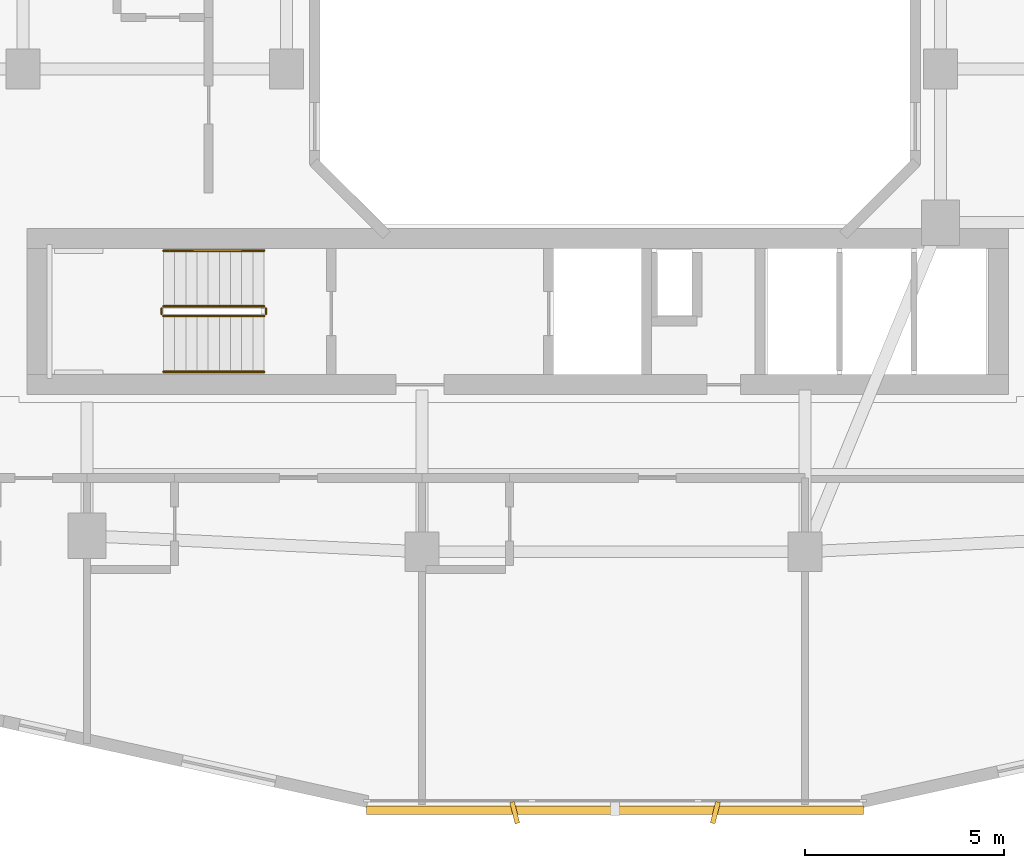
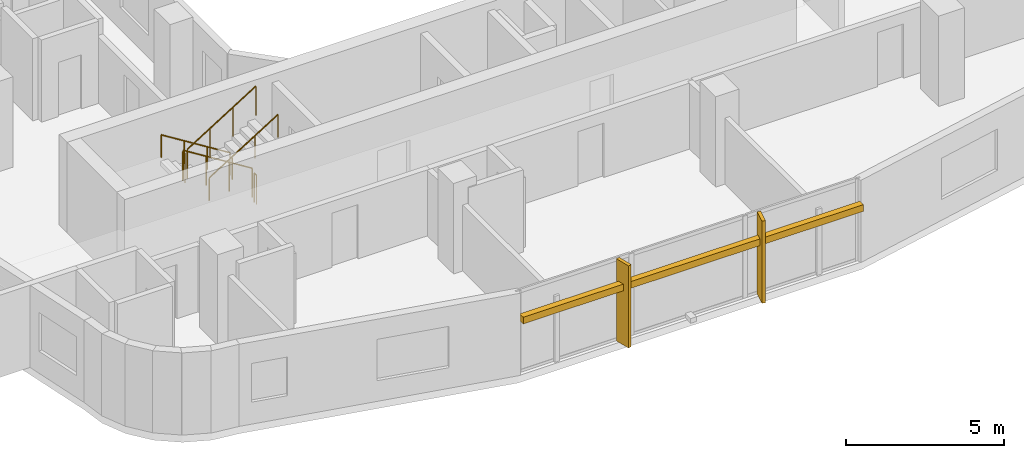
# One storey, part 21 of 25: 6 railings, 3 shading devices.
"""IFC4 building model written with IfcOpenShell, lengths in metres."""

import ifcopenshell
import ifcopenshell.guid

model = None  # the IFC model being written
_history = None  # IfcOwnerHistory: only IFC2X3 demands one
_inside = {}  # id of a spatial element -> (the spatial element, [elements in it])
_under = {}  # id of a project, library or spatial element -> (it, [spatial elements below it])
_declared = {}  # id of a project -> (the project, [libraries it declares])
_typed = {}  # id of a type object -> (the type object, [elements of that type])
_made_of = {}  # id of a material, layer set ... -> (it, [elements and type objects made of it])


def new_model(schema):
    """Start an empty IFC model of exactly this schema.

    Asked for "IFC4X3", IfcOpenShell would pick the latest addendum, in which some entities
    have other attributes; the version numbers below select the first issue.
    IFC2X3 requires an IfcOwnerHistory on every rooted entity: one is made here for all.
    """
    global model, _history
    if schema == "IFC4X3":
        model = ifcopenshell.file(schema_version=(4, 3, 0, 0))
    else:
        model = ifcopenshell.file(schema=schema)
    _inside.clear()
    _under.clear()
    _declared.clear()
    _typed.clear()
    _made_of.clear()
    _history = None
    if model.schema == "IFC2X3":
        org = make("IfcOrganization", Name="unknown")
        user = make(
            "IfcPersonAndOrganization",
            ThePerson=make("IfcPerson", FamilyName="unknown"),
            TheOrganization=org,
        )
        app = make(
            "IfcApplication",
            ApplicationDeveloper=org,
            Version="unknown",
            ApplicationFullName="unknown",
            ApplicationIdentifier="unknown",
        )
        _history = make(
            "IfcOwnerHistory",
            OwningUser=user,
            OwningApplication=app,
            ChangeAction="ADDED",
            CreationDate=0,
        )
    return model


def make(cls, **values):
    """One entity of the class cls with the attributes given. An attribute that is None is left unset."""
    return model.create_entity(
        cls, **{name: value for name, value in values.items() if value is not None}
    )


def rooted(cls, **values):
    """An entity with a GlobalId (a new one), such as an element, a storey or a relation."""
    return make(cls, GlobalId=ifcopenshell.guid.new(), OwnerHistory=_history, **values)


def si_unit(unit_type, name, prefix=None):
    """IfcSIUnit, for example si_unit("LENGTHUNIT", "METRE", prefix="MILLI")."""
    return make("IfcSIUnit", UnitType=unit_type, Prefix=prefix, Name=name)


def derived_unit(unit_type, elements):
    """IfcDerivedUnit: a product of units, each with its exponent."""
    return make(
        "IfcDerivedUnit",
        Elements=[
            make("IfcDerivedUnitElement", Unit=unit, Exponent=power)
            for unit, power in elements
        ],
        UnitType=unit_type,
    )


def assignment(units):
    """IfcUnitAssignment: the units of a project."""
    return None if units is None else make("IfcUnitAssignment", Units=units)


def point(xyz):
    """IfcCartesianPoint."""
    return None if xyz is None else make("IfcCartesianPoint", Coordinates=xyz)


def direction(xyz):
    """IfcDirection."""
    return None if xyz is None else make("IfcDirection", DirectionRatios=xyz)


def frame(location, z_axis=None, x_axis=None):
    """IfcAxis2Placement3D, a coordinate frame: its origin and axes. An axis left out is left unset."""
    return make(
        "IfcAxis2Placement3D",
        Location=point(location),
        Axis=direction(z_axis),
        RefDirection=direction(x_axis),
    )


def frame_2d(location, x_axis=None):
    """IfcAxis2Placement2D, a coordinate frame in the plane: its origin and x axis."""
    return make(
        "IfcAxis2Placement2D", Location=point(location), RefDirection=direction(x_axis)
    )


def origin():
    """The frame at (0, 0, 0) with its axes left unset."""
    return frame((0.0, 0.0, 0.0))


def origin_2d():
    """The frame at (0, 0) in the plane with its x axis left unset."""
    return frame_2d((0.0, 0.0))


def place(relative_to, where):
    """IfcLocalPlacement: puts the frame where relative to a parent placement (None: the world)."""
    return make(
        "IfcLocalPlacement", PlacementRelTo=relative_to, RelativePlacement=where
    )


def context(
    kind, dimensions, precision=None, world=None, true_north=None, identifier=None
):
    """IfcGeometricRepresentationContext, for example the 3D "Model" context."""
    return make(
        "IfcGeometricRepresentationContext",
        ContextIdentifier=identifier,
        ContextType=kind,
        CoordinateSpaceDimension=dimensions,
        Precision=precision,
        WorldCoordinateSystem=world,
        TrueNorth=true_north,
    )


def subcontext(parent, identifier, kind, view, scale=None):
    """IfcGeometricRepresentationSubContext, for example "Body" below "Model"."""
    return make(
        "IfcGeometricRepresentationSubContext",
        ContextIdentifier=identifier,
        ContextType=kind,
        ParentContext=parent,
        TargetScale=scale,
        TargetView=view,
    )


def project(units=None, contexts=None):
    """IfcProject with its units and contexts."""
    return rooted(
        "IfcProject",
        Name="project",
        RepresentationContexts=contexts,
        UnitsInContext=assignment(units),
    )


def spatial(cls, under=None, at=None, **own):
    """A site, building, storey or space (cls), placed at a placement, below another one or the project."""
    s = rooted(cls, ObjectPlacement=at, **own)
    if under is not None:
        _under.setdefault(under.id(), (under, []))[1].append(s)
    return s


def profile(cls, at=None, kind="AREA", **sizes):
    """A parametric profile (cls). Its sizes go by their IFC names, for example OverallWidth=200.0."""
    return make(cls, ProfileType=kind, Position=at, **sizes)


def rectangle(**sizes):
    """IfcRectangleProfileDef."""
    return profile("IfcRectangleProfileDef", **sizes)


def circle(**sizes):
    """IfcCircleProfileDef."""
    return profile("IfcCircleProfileDef", **sizes)


def extrude(swept, where, along, depth):
    """IfcExtrudedAreaSolid: the profile swept, set in the frame where, extruded along a direction by depth."""
    return make(
        "IfcExtrudedAreaSolid",
        SweptArea=swept,
        Position=where,
        ExtrudedDirection=direction(along),
        Depth=depth,
    )


def shape(context_of_items, identifier, shape_type, items):
    """IfcShapeRepresentation: the items that make up one representation, for example the "Body"."""
    return make(
        "IfcShapeRepresentation",
        ContextOfItems=context_of_items,
        RepresentationIdentifier=identifier,
        RepresentationType=shape_type,
        Items=items,
    )


def material(Name=None, Category=None):
    """IfcMaterial."""
    return make("IfcMaterial", Name=Name, Category=Category)


def made_of(thing, what):
    """Note that an element or type object is made of a material, layer set ...; save() writes the relation."""
    if what is not None:
        _made_of.setdefault(what.id(), (what, []))[1].append(thing)
    return thing


def type_object(cls, material=None, **own):
    """A type object (cls), such as IfcWallType, which elements share."""
    return made_of(rooted(cls, **own), material)


def element(
    cls,
    number,
    at=None,
    inside=None,
    cuts=None,
    type_object=None,
    material=None,
    context=None,
    identifier="Body",
    shape_type=None,
    held_by="IfcProductDefinitionShape",
    body=None,
    shapes=None,
    **own,
):
    """One element of the class cls, such as IfcWall. Its Tag is "e" and its number.

    at: its placement. inside: the storey or other place that contains it. cuts: it is an
    opening in that element (IfcRelVoidsElement). A single representation is given by context,
    identifier, shape_type and body (its items); several are given by shapes. held_by: the class
    of the entity that holds the representations. save() writes the other relations.
    """
    e = rooted(cls, Tag="e%d" % number, ObjectPlacement=at, **own)
    if body is not None:
        shapes = [shape(context, identifier, shape_type, body)]
    if shapes is not None:
        e.Representation = make(held_by, Representations=shapes)
    if inside is not None:
        _inside.setdefault(inside.id(), (inside, []))[1].append(e)
    if cuts is not None:
        rooted(
            "IfcRelVoidsElement", RelatingBuildingElement=cuts, RelatedOpeningElement=e
        )
    if type_object is not None:
        _typed.setdefault(type_object.id(), (type_object, []))[1].append(e)
    return made_of(e, material)


def aggregate(whole, parts):
    """IfcRelAggregates: a whole, such as a stair, and the parts it consists of."""
    return rooted("IfcRelAggregates", RelatingObject=whole, RelatedObjects=parts)


def save(model, path):
    """Write the relations noted so far, then the file.

    IfcRelAggregates (storeys below a building ...), IfcRelContainedInSpatialStructure (elements
    in a storey), IfcRelDefinesByType, IfcRelAssociatesMaterial and IfcRelDeclares: one each for
    every whole, place, type object, material and project.
    """
    for whole, parts in _under.values():
        aggregate(whole, parts)
    for where, things in _inside.values():
        rooted(
            "IfcRelContainedInSpatialStructure",
            RelatedElements=things,
            RelatingStructure=where,
        )
    for kind, things in _typed.values():
        rooted("IfcRelDefinesByType", RelatedObjects=things, RelatingType=kind)
    for what, things in _made_of.values():
        rooted("IfcRelAssociatesMaterial", RelatedObjects=things, RelatingMaterial=what)
    for by, libraries in _declared.values():
        rooted("IfcRelDeclares", RelatingContext=by, RelatedDefinitions=libraries)
    model.write(path)


model = new_model("IFC4")

# Units and contexts
model_context = context("Model", 3, precision=1e-05, world=origin(), true_north=direction((0.0, 1.0)))
body_context = subcontext(model_context, "Body", "Model", "MODEL_VIEW")
ifc_project = project(units=[si_unit("LENGTHUNIT", "METRE"), si_unit("AREAUNIT", "SQUARE_METRE"), si_unit("VOLUMEUNIT", "CUBIC_METRE"), si_unit("PLANEANGLEUNIT", "RADIAN"), si_unit("MASSUNIT", "GRAM", prefix="KILO"), derived_unit("THERMALTRANSMITTANCEUNIT", [(si_unit("POWERUNIT", "WATT"), 1), (si_unit("LENGTHUNIT", "METRE"), -2), (si_unit("THERMODYNAMICTEMPERATUREUNIT", "KELVIN"), -1)])], contexts=[model_context])

# Site, building, storey
site_placement = place(None, origin())
site = spatial("IfcSite", under=ifc_project, at=site_placement, CompositionType="ELEMENT")
building_placement = place(site_placement, origin())
building = spatial("IfcBuilding", under=site, at=building_placement, Name="Kivonza Crest Hotel", CompositionType="ELEMENT")
storey_placement = place(building_placement, frame((0.0, 0.0, 87.0)))
storey = spatial("IfcBuildingStorey", under=building, at=storey_placement, Name="L23", CompositionType="ELEMENT", Elevation=87.0)

# Railings
ifc_material_1 = material(Name="Brushed stainless steel handrail", Category="steel")
railing_type_1 = type_object("IfcRailingType", Name="RL-HAND-900", PredefinedType="HANDRAIL", material=ifc_material_1)
railing_1_placement = place(storey_placement, frame((12.239990234375, 16.949951171875, 0.175048828125)))
element("IfcRailing", 1, at=railing_1_placement, inside=storey, type_object=railing_type_1, Name="L23 ST-T1-S stair handrail 1", PredefinedType="HANDRAIL", context=body_context, shape_type="SweptSolid", body=[
    extrude(circle(Radius=0.02392578125, at=origin_2d()), frame((0.0, 0.0, 0.8759765625), z_axis=(-0.848007534815, 0.0, 0.529984170421), x_axis=(0.0, -1.0, 0.0)), (0.0, 0.0, 1.0), 2.9716796875),
    extrude(circle(Radius=0.02099609375, at=origin_2d()), origin(), (0.0, 0.0, 1.0), 0.851806640625),
    extrude(circle(Radius=0.02099609375, at=origin_2d()), frame((-0.840087890625, 0.0, 0.52490234375)), (0.0, 0.0, 1.0), 0.851806640625),
    extrude(circle(Radius=0.02099609375, at=origin_2d()), frame((-1.679931640625, 0.0, 1.050048828125)), (0.0, 0.0, 1.0), 0.851806640625),
    extrude(circle(Radius=0.02099609375, at=origin_2d()), frame((-2.52001953125, 0.0, 1.574951171875)), (0.0, 0.0, 1.0), 0.851806640625),
])
railing_2_placement = place(storey_placement, frame((9.719970703125, 13.909912109375, 1.925048828125)))
element("IfcRailing", 2, at=railing_2_placement, inside=storey, type_object=railing_type_1, Name="L23 ST-T1-S stair handrail 2", PredefinedType="HANDRAIL", context=body_context, shape_type="SweptSolid", body=[
    extrude(circle(Radius=0.02392578125, at=origin_2d()), frame((0.0, 0.0, 0.8759765625), z_axis=(0.848007534815, 0.0, 0.529984170421), x_axis=(0.0, 1.0, 0.0)), (0.0, 0.0, 1.0), 2.9716796875),
    extrude(circle(Radius=0.02099609375, at=origin_2d()), origin(), (0.0, 0.0, 1.0), 0.851806640625),
    extrude(circle(Radius=0.02099609375, at=origin_2d()), frame((0.840087890625, 0.0, 0.52490234375)), (0.0, 0.0, 1.0), 0.851806640625),
    extrude(circle(Radius=0.02099609375, at=origin_2d()), frame((1.679931640625, 0.0, 1.050048828125)), (0.0, 0.0, 1.0), 0.851806640625),
    extrude(circle(Radius=0.02099609375, at=origin_2d()), frame((2.52001953125, 0.0, 1.574951171875)), (0.0, 0.0, 1.0), 0.851806640625),
])
ifc_material_2 = material(Name="Painted steel balustrade", Category="steel")
railing_type_2 = type_object("IfcRailingType", Name="RL-STAIR-1150", PredefinedType="BALUSTRADE", material=ifc_material_2)
railing_3_placement = place(storey_placement, frame((12.239990234375, 15.550048828125, 0.175048828125)))
element("IfcRailing", 3, at=railing_3_placement, inside=storey, type_object=railing_type_2, Name="L23 ST-T1-S stair guard 1", PredefinedType="BALUSTRADE", context=body_context, shape_type="SweptSolid", body=[
    extrude(circle(Radius=0.02392578125, at=origin_2d()), frame((0.0, 0.0, 1.1259765625), z_axis=(-0.848007534815, 0.0, 0.529984170421), x_axis=(0.0, -1.0, 0.0)), (0.0, 0.0, 1.0), 2.9716796875),
    extrude(circle(Radius=0.02099609375, at=origin_2d()), origin(), (0.0, 0.0, 1.0), 1.101806640625),
    extrude(circle(Radius=0.02099609375, at=origin_2d()), frame((-0.840087890625, 0.0, 0.52490234375)), (0.0, 0.0, 1.0), 1.101806640625),
    extrude(circle(Radius=0.02099609375, at=origin_2d()), frame((-1.679931640625, 0.0, 1.050048828125)), (0.0, 0.0, 1.0), 1.101806640625),
    extrude(circle(Radius=0.02099609375, at=origin_2d()), frame((-2.52001953125, 0.0, 1.574951171875)), (0.0, 0.0, 1.0), 1.101806640625),
])
railing_4_placement = place(storey_placement, frame((9.669921875, 15.5, 1.75)))
element("IfcRailing", 4, at=railing_4_placement, inside=storey, type_object=railing_type_2, Name="L23 ST-T1-S stair guard 2", PredefinedType="BALUSTRADE", context=body_context, shape_type="SweptSolid", body=[
    extrude(circle(Radius=0.02392578125, at=origin_2d()), frame((0.0, 0.0, 1.1259765625), z_axis=(0.0, -1.0, 0.0), x_axis=(1.0, 0.0, 0.0)), (0.0, 0.0, 1.0), 0.139892578125),
    extrude(circle(Radius=0.02099609375, at=origin_2d()), origin(), (0.0, 0.0, 1.0), 1.101806640625),
    extrude(circle(Radius=0.02099609375, at=origin_2d()), frame((0.0, -0.139892578125, 0.0)), (0.0, 0.0, 1.0), 1.101806640625),
])
railing_5_placement = place(storey_placement, frame((9.719970703125, 15.31005859375, 1.925048828125)))
element("IfcRailing", 5, at=railing_5_placement, inside=storey, type_object=railing_type_2, Name="L23 ST-T1-S stair guard 3", PredefinedType="BALUSTRADE", context=body_context, shape_type="SweptSolid", body=[
    extrude(circle(Radius=0.02392578125, at=origin_2d()), frame((0.0, 0.0, 1.1259765625), z_axis=(0.848007534815, 0.0, 0.529984170421), x_axis=(0.0, 1.0, 0.0)), (0.0, 0.0, 1.0), 2.9716796875),
    extrude(circle(Radius=0.02099609375, at=origin_2d()), origin(), (0.0, 0.0, 1.0), 1.101806640625),
    extrude(circle(Radius=0.02099609375, at=origin_2d()), frame((0.840087890625, 0.0, 0.52490234375)), (0.0, 0.0, 1.0), 1.101806640625),
    extrude(circle(Radius=0.02099609375, at=origin_2d()), frame((1.679931640625, 0.0, 1.050048828125)), (0.0, 0.0, 1.0), 1.101806640625),
    extrude(circle(Radius=0.02099609375, at=origin_2d()), frame((2.52001953125, 0.0, 1.574951171875)), (0.0, 0.0, 1.0), 1.101806640625),
])
railing_6_placement = place(storey_placement, frame((12.2900390625, 15.5, 0.0)))
element("IfcRailing", 6, at=railing_6_placement, inside=storey, type_object=railing_type_2, Name="L23 ST-T1-S stair guard 4", PredefinedType="BALUSTRADE", context=body_context, shape_type="SweptSolid", body=[
    extrude(circle(Radius=0.02392578125, at=origin_2d()), frame((0.0, 0.0, 1.1259765625), z_axis=(0.0, -1.0, 0.0), x_axis=(1.0, 0.0, 0.0)), (0.0, 0.0, 1.0), 0.139892578125),
    extrude(circle(Radius=0.02099609375, at=origin_2d()), origin(), (0.0, 0.0, 1.0), 1.101806640625),
    extrude(circle(Radius=0.02099609375, at=origin_2d()), frame((0.0, -0.139892578125, 0.0)), (0.0, 0.0, 1.0), 1.101806640625),
])

# Shading devices
ifc_material_3 = material(Name="Kiln-fired Nairobi red-ochre terracotta", Category="masonry")
shading_device_type_1 = type_object("IfcShadingDeviceType", Name="SH-BAGUETTE-300", PredefinedType="USERDEFINED", material=ifc_material_3)
shading_device_placement = place(storey_placement, frame((21.0400390625, 2.919921875, 2.09619140625), z_axis=(0.0, 0.0, 1.0), x_axis=(1.0, 0.0, 0.0)))
element("IfcShadingDevice", 7, at=shading_device_placement, inside=storey, type_object=shading_device_type_1, Name="L23 terracotta baguette screen CW-T1-L23-08", ObjectType="BAGUETTE", PredefinedType="USERDEFINED", context=body_context, shape_type="SweptSolid", body=[
    extrude(rectangle(XDim=12.4560546875, YDim=0.219970703125, at=origin_2d()), origin(), (0.0, 0.0, 1.0), 0.260009765625),
])
ifc_material_4 = material(Name="Kiln-fired terracotta over extruded aluminium spine", Category="masonry")
shading_device_type_2 = type_object("IfcShadingDeviceType", Name="SH-FIN-550", PredefinedType="USERDEFINED", material=ifc_material_4)
for number, where, z_axis, x_axis, name in (
    (8, (18.52490234375, 2.860107421875, 0.0), (0.0, 0.0, 1.0), (0.970295726276, 0.2419218956, 0.0), "L23 vertical solar shading fin CW-T1-L23-08-1"),
    (9, (23.554931640625, 2.860107421875, 0.0), (0.0, 0.0, 1.0), (0.970295726276, -0.2419218956, 0.0), "L23 vertical solar shading fin CW-T1-L23-08-2"),
):
    element("IfcShadingDevice", number, at=place(storey_placement, frame(where, z_axis=z_axis, x_axis=x_axis)), inside=storey, type_object=shading_device_type_2, Name=name, ObjectType="FIN", PredefinedType="USERDEFINED", context=body_context, shape_type="SweptSolid", body=[
        extrude(rectangle(XDim=0.1201171875, YDim=0.550048828125, at=origin_2d()), origin(), (0.0, 0.0, 1.0), 3.179931640625),
    ])

save(model, "model.ifc")
